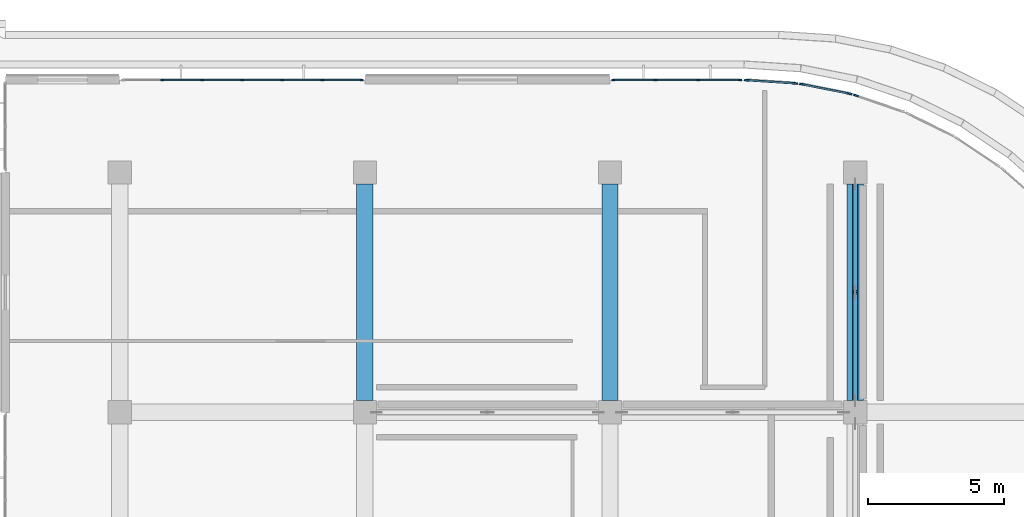
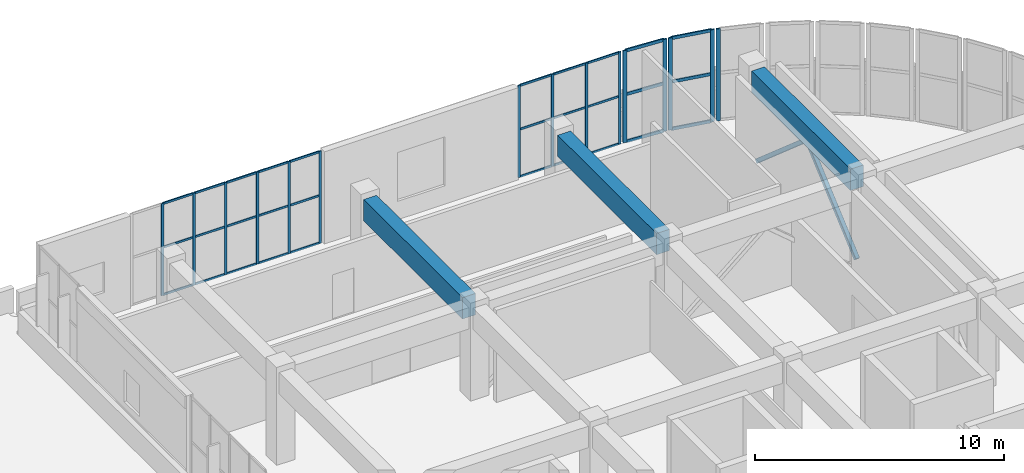
# One storey, part 24 of 67: 47 members, 3 beams, 5 elements without a shape of their own.
"""IFC4 building model written with IfcOpenShell, lengths in metres."""

from ifc_helpers import new_model, si_unit, direction, frame, origin, origin_2d, place, context, subcontext, project, spatial, rectangle, hollow_rectangle, extrude, material, layer, layer_set, material_profile, profile_set, type_object, element, aggregate, save


model = new_model("IFC4")

# Units and contexts
model_context = context("Model", 3, precision=1e-05, world=origin(), true_north=direction((0.0, 1.0)))
body_context = subcontext(model_context, "Body", "Model", "MODEL_VIEW")
ifc_project = project(units=[si_unit("LENGTHUNIT", "METRE"), si_unit("AREAUNIT", "SQUARE_METRE"), si_unit("VOLUMEUNIT", "CUBIC_METRE"), si_unit("PLANEANGLEUNIT", "RADIAN"), si_unit("MASSUNIT", "GRAM", prefix="KILO")], contexts=[model_context])

# Site, building, storey
site_placement = place(None, origin())
site = spatial("IfcSite", under=ifc_project, at=site_placement, CompositionType="ELEMENT")
building_placement = place(site_placement, origin())
building = spatial("IfcBuilding", under=site, at=building_placement, Name="Cendralis Terraced Arcade", CompositionType="ELEMENT")
storey_placement = place(building_placement, frame((0.0, 0.0, 15.0)))
storey = spatial("IfcBuildingStorey", under=building, at=storey_placement, Name="L03", CompositionType="ELEMENT", Elevation=15.0)

# Beams
ifc_material_1 = material(Name="Concrete f'c 35 MPa", Category="concrete")
ifc_material_profile_1 = material_profile(ifc_material_1, rectangle(XDim=0.60009765625, YDim=1.050048828125, at=origin_2d()), Name="RC-BM-600x1050", Category="LoadBearing")
ifc_profile_set_1 = profile_set([ifc_material_profile_1], Name="Concrete f'c 35 MPa")
beam_type = type_object("IfcBeamType", Name="BM-600x1050", PredefinedType="JOIST", material=ifc_profile_set_1)
for number, where, z_axis, x_axis, name in (
    (1, (139.199951171875, 98.824951171875, 3.9951171875), (0.0, 1.0, 0.0), (-1.0, 0.0, 0.0), "Reinforced Concrete Frame Beam BM-Y-L04-16-L_M"),
    (2, (148.199951171875, 98.824951171875, 3.9951171875), (0.0, 1.0, 0.0), (-1.0, 0.0, 0.0), "Reinforced Concrete Frame Beam BM-Y-L04-17-L_M"),
    (3, (157.199951171875, 98.824951171875, 3.9951171875), (0.0, 1.0, 0.0), (-1.0, 0.0, 0.0), "Reinforced Concrete Frame Beam BM-Y-L04-18-L_M"),
):
    element("IfcBeam", number, at=place(storey_placement, frame(where, z_axis=z_axis, x_axis=x_axis)), inside=storey, type_object=beam_type, Name=name, PredefinedType="JOIST", context=body_context, shape_type="SweptSolid", body=[
        extrude(rectangle(XDim=0.60009765625, YDim=1.050048828125, at=origin_2d()), origin(), (0.0, 0.0, 1.0), 7.949951171875),
    ])

# Curtain wall, members
ifc_material_2 = material(Name="Anodised aluminium EN AW-6063 T6", Category="aluminium")
ifc_layer_1 = layer(ifc_material_2, 0.1201171875, Name="CW-STORE-B")
ifc_layer_set_1 = layer_set([ifc_layer_1], Name="Anodised aluminium EN AW-6063 T6")
curtain_wall_type_1 = type_object("IfcCurtainWallType", Name="CW-STORE-B", PredefinedType="USERDEFINED", material=ifc_layer_set_1)
curtain_wall_1_placement = place(storey_placement, origin())
curtain_wall_1 = element("IfcCurtainWall", 4, at=curtain_wall_1_placement, inside=storey, type_object=curtain_wall_type_1, Name="Exterior Storefront Glazing CW-L03-0256", ObjectType="STOREFRONT GLAZING", PredefinedType="USERDEFINED")
ifc_material_profile_2 = material_profile(ifc_material_2, rectangle(XDim=0.054931640625, YDim=0.1201171875, at=origin_2d()), Name="ALU-MUL-55x120")
ifc_profile_set_2 = profile_set([ifc_material_profile_2], Name="Anodised aluminium EN AW-6063 T6")
member_type_1 = type_object("IfcMemberType", Name="CW-STORE-B-MUL", PredefinedType="MULLION", material=ifc_profile_set_2)
member_1_placement = place(storey_placement, frame((131.760009765625, 110.60009765625, 0.0), z_axis=(0.0, 0.0, 1.0), x_axis=(0.0, 1.0, 0.0)))
member_1 = element("IfcMember", 5, at=member_1_placement, type_object=member_type_1, Name="CW-S2 mullion 2", PredefinedType="MULLION", context=body_context, shape_type="SweptSolid", body=[
    extrude(rectangle(XDim=0.054931640625, YDim=0.1201171875, at=origin_2d()), origin(), (0.0, 0.0, 1.0), 4.52001953125),
])
member_2_placement = place(storey_placement, frame((133.22998046875, 110.60009765625, 0.0), z_axis=(0.0, 0.0, 1.0), x_axis=(0.0, 1.0, 0.0)))
member_2 = element("IfcMember", 6, at=member_2_placement, type_object=member_type_1, Name="CW-S2 mullion 3", PredefinedType="MULLION", context=body_context, shape_type="SweptSolid", body=[
    extrude(rectangle(XDim=0.054931640625, YDim=0.1201171875, at=origin_2d()), origin(), (0.0, 0.0, 1.0), 4.52001953125),
])
member_3_placement = place(storey_placement, frame((134.699951171875, 110.60009765625, 0.0), z_axis=(0.0, 0.0, 1.0), x_axis=(0.0, 1.0, 0.0)))
member_3 = element("IfcMember", 7, at=member_3_placement, type_object=member_type_1, Name="CW-S2 mullion 4", PredefinedType="MULLION", context=body_context, shape_type="SweptSolid", body=[
    extrude(rectangle(XDim=0.054931640625, YDim=0.1201171875, at=origin_2d()), origin(), (0.0, 0.0, 1.0), 4.52001953125),
])
member_4_placement = place(storey_placement, frame((136.169921875, 110.60009765625, 0.0), z_axis=(0.0, 0.0, 1.0), x_axis=(0.0, 1.0, 0.0)))
member_4 = element("IfcMember", 8, at=member_4_placement, type_object=member_type_1, Name="CW-S2 mullion 5", PredefinedType="MULLION", context=body_context, shape_type="SweptSolid", body=[
    extrude(rectangle(XDim=0.054931640625, YDim=0.1201171875, at=origin_2d()), origin(), (0.0, 0.0, 1.0), 4.52001953125),
])
member_5_placement = place(storey_placement, frame((137.639892578125, 110.60009765625, 0.0), z_axis=(0.0, 0.0, 1.0), x_axis=(0.0, 1.0, 0.0)))
member_5 = element("IfcMember", 9, at=member_5_placement, type_object=member_type_1, Name="CW-S2 mullion 6", PredefinedType="MULLION", context=body_context, shape_type="SweptSolid", body=[
    extrude(rectangle(XDim=0.054931640625, YDim=0.1201171875, at=origin_2d()), origin(), (0.0, 0.0, 1.0), 4.52001953125),
])
member_6_placement = place(storey_placement, frame((139.08251953125, 110.60009765625, 0.0), z_axis=(0.0, 0.0, 1.0), x_axis=(0.0, 1.0, 0.0)))
member_6 = element("IfcMember", 10, at=member_6_placement, type_object=member_type_1, Name="CW-S2 mullion 7", PredefinedType="MULLION", context=body_context, shape_type="SweptSolid", body=[
    extrude(rectangle(XDim=0.054931640625, YDim=0.1201171875, at=origin_2d()), origin(), (0.0, 0.0, 1.0), 4.52001953125),
])

curtain_wall_2_placement = place(storey_placement, origin())
curtain_wall_2 = element("IfcCurtainWall", 11, at=curtain_wall_2_placement, inside=storey, type_object=curtain_wall_type_1, Name="Exterior Storefront Glazing CW-L03-0257", ObjectType="STOREFRONT GLAZING", PredefinedType="USERDEFINED")
member_7_placement = place(storey_placement, frame((148.3173828125, 110.60009765625, 0.0), z_axis=(0.0, 0.0, 1.0), x_axis=(0.0, 1.0, 0.0)))
member_7 = element("IfcMember", 12, at=member_7_placement, type_object=member_type_1, Name="CW-S2 mullion 1", PredefinedType="MULLION", context=body_context, shape_type="SweptSolid", body=[
    extrude(rectangle(XDim=0.054931640625, YDim=0.1201171875, at=origin_2d()), origin(), (0.0, 0.0, 1.0), 4.52001953125),
])
member_8_placement = place(storey_placement, frame((149.86328125, 110.60009765625, 0.0), z_axis=(0.0, 0.0, 1.0), x_axis=(0.0, 1.0, 0.0)))
member_8 = element("IfcMember", 13, at=member_8_placement, type_object=member_type_1, Name="CW-S2 mullion 2", PredefinedType="MULLION", context=body_context, shape_type="SweptSolid", body=[
    extrude(rectangle(XDim=0.054931640625, YDim=0.1201171875, at=origin_2d()), origin(), (0.0, 0.0, 1.0), 4.52001953125),
])
member_9_placement = place(storey_placement, frame((151.436767578125, 110.60009765625, 0.0), z_axis=(0.0, 0.0, 1.0), x_axis=(0.0, 1.0, 0.0)))
member_9 = element("IfcMember", 14, at=member_9_placement, type_object=member_type_1, Name="CW-S2 mullion 3", PredefinedType="MULLION", context=body_context, shape_type="SweptSolid", body=[
    extrude(rectangle(XDim=0.054931640625, YDim=0.1201171875, at=origin_2d()), origin(), (0.0, 0.0, 1.0), 4.52001953125),
])
member_10_placement = place(storey_placement, frame((152.982421875, 110.60009765625, 0.0), z_axis=(0.0, 0.0, 1.0), x_axis=(0.0, 1.0, 0.0)))
member_10 = element("IfcMember", 15, at=member_10_placement, type_object=member_type_1, Name="CW-S2 mullion 4", PredefinedType="MULLION", context=body_context, shape_type="SweptSolid", body=[
    extrude(rectangle(XDim=0.054931640625, YDim=0.1201171875, at=origin_2d()), origin(), (0.0, 0.0, 1.0), 4.52001953125),
])

# Member
ifc_material_profile_3 = material_profile(ifc_material_2, rectangle(XDim=0.054931640625, YDim=0.10009765625, at=origin_2d()), Name="ALU-TRN-55x100")
ifc_profile_set_3 = profile_set([ifc_material_profile_3], Name="Anodised aluminium EN AW-6063 T6")
member_type_2 = type_object("IfcMemberType", Name="CW-STORE-B-TRN", PredefinedType="USERDEFINED", material=ifc_profile_set_3)
member_11_placement = place(storey_placement, frame((131.78759765625, 110.60009765625, 0.027587890625), z_axis=(1.0, 0.0, 0.0), x_axis=(0.0, 1.0, 0.0)))
member_11 = element("IfcMember", 16, at=member_11_placement, type_object=member_type_2, Name="CW-S2 transom 2.1", ObjectType="TRANSOM", PredefinedType="USERDEFINED", context=body_context, shape_type="SweptSolid", body=[
    extrude(rectangle(XDim=0.054931640625, YDim=0.10009765625, at=origin_2d()), origin(), (0.0, 0.0, 1.0), 1.414794921875),
])

member_12_placement = place(storey_placement, frame((131.78759765625, 110.60009765625, 2.350341796875), z_axis=(1.0, 0.0, 0.0), x_axis=(0.0, 1.0, 0.0)))
member_12 = element("IfcMember", 17, at=member_12_placement, type_object=member_type_2, Name="CW-S2 transom 2.2", ObjectType="TRANSOM", PredefinedType="USERDEFINED", context=body_context, shape_type="SweptSolid", body=[
    extrude(rectangle(XDim=0.054931640625, YDim=0.10009765625, at=origin_2d()), origin(), (0.0, 0.0, 1.0), 1.414794921875),
])

member_13_placement = place(storey_placement, frame((131.78759765625, 110.60009765625, 4.492431640625), z_axis=(1.0, 0.0, 0.0), x_axis=(0.0, 1.0, 0.0)))
member_13 = element("IfcMember", 18, at=member_13_placement, type_object=member_type_2, Name="CW-S2 transom 2.3", ObjectType="TRANSOM", PredefinedType="USERDEFINED", context=body_context, shape_type="SweptSolid", body=[
    extrude(rectangle(XDim=0.054931640625, YDim=0.10009765625, at=origin_2d()), origin(), (0.0, 0.0, 1.0), 1.414794921875),
])

member_14_placement = place(storey_placement, frame((133.257568359375, 110.60009765625, 0.027587890625), z_axis=(1.0, 0.0, 0.0), x_axis=(0.0, 1.0, 0.0)))
member_14 = element("IfcMember", 19, at=member_14_placement, type_object=member_type_2, Name="CW-S2 transom 3.1", ObjectType="TRANSOM", PredefinedType="USERDEFINED", context=body_context, shape_type="SweptSolid", body=[
    extrude(rectangle(XDim=0.054931640625, YDim=0.10009765625, at=origin_2d()), origin(), (0.0, 0.0, 1.0), 1.4150390625),
])

member_15_placement = place(storey_placement, frame((133.257568359375, 110.60009765625, 2.350341796875), z_axis=(1.0, 0.0, 0.0), x_axis=(0.0, 1.0, 0.0)))
member_15 = element("IfcMember", 20, at=member_15_placement, type_object=member_type_2, Name="CW-S2 transom 3.2", ObjectType="TRANSOM", PredefinedType="USERDEFINED", context=body_context, shape_type="SweptSolid", body=[
    extrude(rectangle(XDim=0.054931640625, YDim=0.10009765625, at=origin_2d()), origin(), (0.0, 0.0, 1.0), 1.4150390625),
])

member_16_placement = place(storey_placement, frame((133.257568359375, 110.60009765625, 4.492431640625), z_axis=(1.0, 0.0, 0.0), x_axis=(0.0, 1.0, 0.0)))
member_16 = element("IfcMember", 21, at=member_16_placement, type_object=member_type_2, Name="CW-S2 transom 3.3", ObjectType="TRANSOM", PredefinedType="USERDEFINED", context=body_context, shape_type="SweptSolid", body=[
    extrude(rectangle(XDim=0.054931640625, YDim=0.10009765625, at=origin_2d()), origin(), (0.0, 0.0, 1.0), 1.4150390625),
])

member_17_placement = place(storey_placement, frame((134.7275390625, 110.60009765625, 0.027587890625), z_axis=(1.0, 0.0, 0.0), x_axis=(0.0, 1.0, 0.0)))
member_17 = element("IfcMember", 22, at=member_17_placement, type_object=member_type_2, Name="CW-S2 transom 4.1", ObjectType="TRANSOM", PredefinedType="USERDEFINED", context=body_context, shape_type="SweptSolid", body=[
    extrude(rectangle(XDim=0.054931640625, YDim=0.10009765625, at=origin_2d()), origin(), (0.0, 0.0, 1.0), 1.4150390625),
])

member_18_placement = place(storey_placement, frame((134.7275390625, 110.60009765625, 2.350341796875), z_axis=(1.0, 0.0, 0.0), x_axis=(0.0, 1.0, 0.0)))
member_18 = element("IfcMember", 23, at=member_18_placement, type_object=member_type_2, Name="CW-S2 transom 4.2", ObjectType="TRANSOM", PredefinedType="USERDEFINED", context=body_context, shape_type="SweptSolid", body=[
    extrude(rectangle(XDim=0.054931640625, YDim=0.10009765625, at=origin_2d()), origin(), (0.0, 0.0, 1.0), 1.4150390625),
])

member_19_placement = place(storey_placement, frame((134.7275390625, 110.60009765625, 4.492431640625), z_axis=(1.0, 0.0, 0.0), x_axis=(0.0, 1.0, 0.0)))
member_19 = element("IfcMember", 24, at=member_19_placement, type_object=member_type_2, Name="CW-S2 transom 4.3", ObjectType="TRANSOM", PredefinedType="USERDEFINED", context=body_context, shape_type="SweptSolid", body=[
    extrude(rectangle(XDim=0.054931640625, YDim=0.10009765625, at=origin_2d()), origin(), (0.0, 0.0, 1.0), 1.4150390625),
])

member_20_placement = place(storey_placement, frame((136.197509765625, 110.60009765625, 0.027587890625), z_axis=(1.0, 0.0, 0.0), x_axis=(0.0, 1.0, 0.0)))
member_20 = element("IfcMember", 25, at=member_20_placement, type_object=member_type_2, Name="CW-S2 transom 5.1", ObjectType="TRANSOM", PredefinedType="USERDEFINED", context=body_context, shape_type="SweptSolid", body=[
    extrude(rectangle(XDim=0.054931640625, YDim=0.10009765625, at=origin_2d()), origin(), (0.0, 0.0, 1.0), 1.4150390625),
])

member_21_placement = place(storey_placement, frame((136.197509765625, 110.60009765625, 2.350341796875), z_axis=(1.0, 0.0, 0.0), x_axis=(0.0, 1.0, 0.0)))
member_21 = element("IfcMember", 26, at=member_21_placement, type_object=member_type_2, Name="CW-S2 transom 5.2", ObjectType="TRANSOM", PredefinedType="USERDEFINED", context=body_context, shape_type="SweptSolid", body=[
    extrude(rectangle(XDim=0.054931640625, YDim=0.10009765625, at=origin_2d()), origin(), (0.0, 0.0, 1.0), 1.4150390625),
])

member_22_placement = place(storey_placement, frame((136.197509765625, 110.60009765625, 4.492431640625), z_axis=(1.0, 0.0, 0.0), x_axis=(0.0, 1.0, 0.0)))
member_22 = element("IfcMember", 27, at=member_22_placement, type_object=member_type_2, Name="CW-S2 transom 5.3", ObjectType="TRANSOM", PredefinedType="USERDEFINED", context=body_context, shape_type="SweptSolid", body=[
    extrude(rectangle(XDim=0.054931640625, YDim=0.10009765625, at=origin_2d()), origin(), (0.0, 0.0, 1.0), 1.4150390625),
])

member_23_placement = place(storey_placement, frame((137.66748046875, 110.60009765625, 0.027587890625), z_axis=(1.0, 0.0, 0.0), x_axis=(0.0, 1.0, 0.0)))
member_23 = element("IfcMember", 28, at=member_23_placement, type_object=member_type_2, Name="CW-S2 transom 6.1", ObjectType="TRANSOM", PredefinedType="USERDEFINED", context=body_context, shape_type="SweptSolid", body=[
    extrude(rectangle(XDim=0.054931640625, YDim=0.10009765625, at=origin_2d()), origin(), (0.0, 0.0, 1.0), 1.387451171875),
])

member_24_placement = place(storey_placement, frame((137.66748046875, 110.60009765625, 2.350341796875), z_axis=(1.0, 0.0, 0.0), x_axis=(0.0, 1.0, 0.0)))
member_24 = element("IfcMember", 29, at=member_24_placement, type_object=member_type_2, Name="CW-S2 transom 6.2", ObjectType="TRANSOM", PredefinedType="USERDEFINED", context=body_context, shape_type="SweptSolid", body=[
    extrude(rectangle(XDim=0.054931640625, YDim=0.10009765625, at=origin_2d()), origin(), (0.0, 0.0, 1.0), 1.387451171875),
])

member_25_placement = place(storey_placement, frame((137.66748046875, 110.60009765625, 4.492431640625), z_axis=(1.0, 0.0, 0.0), x_axis=(0.0, 1.0, 0.0)))
member_25 = element("IfcMember", 30, at=member_25_placement, type_object=member_type_2, Name="CW-S2 transom 6.3", ObjectType="TRANSOM", PredefinedType="USERDEFINED", context=body_context, shape_type="SweptSolid", body=[
    extrude(rectangle(XDim=0.054931640625, YDim=0.10009765625, at=origin_2d()), origin(), (0.0, 0.0, 1.0), 1.387451171875),
])

aggregate(curtain_wall_1, [member_1, member_2, member_3, member_4, member_5, member_6, member_11, member_12, member_13, member_14, member_15, member_16, member_17, member_18, member_19, member_20, member_21, member_22, member_23, member_24, member_25])

member_26_placement = place(storey_placement, frame((148.344970703125, 110.60009765625, 0.027587890625), z_axis=(1.0, 0.0, 0.0), x_axis=(0.0, 1.0, 0.0)))
member_26 = element("IfcMember", 31, at=member_26_placement, type_object=member_type_2, Name="CW-S2 transom 1.1", ObjectType="TRANSOM", PredefinedType="USERDEFINED", context=body_context, shape_type="SweptSolid", body=[
    extrude(rectangle(XDim=0.054931640625, YDim=0.10009765625, at=origin_2d()), origin(), (0.0, 0.0, 1.0), 1.490966796875),
])

member_27_placement = place(storey_placement, frame((148.344970703125, 110.60009765625, 2.350341796875), z_axis=(1.0, 0.0, 0.0), x_axis=(0.0, 1.0, 0.0)))
member_27 = element("IfcMember", 32, at=member_27_placement, type_object=member_type_2, Name="CW-S2 transom 1.2", ObjectType="TRANSOM", PredefinedType="USERDEFINED", context=body_context, shape_type="SweptSolid", body=[
    extrude(rectangle(XDim=0.054931640625, YDim=0.10009765625, at=origin_2d()), origin(), (0.0, 0.0, 1.0), 1.490966796875),
])

member_28_placement = place(storey_placement, frame((148.344970703125, 110.60009765625, 4.492431640625), z_axis=(1.0, 0.0, 0.0), x_axis=(0.0, 1.0, 0.0)))
member_28 = element("IfcMember", 33, at=member_28_placement, type_object=member_type_2, Name="CW-S2 transom 1.3", ObjectType="TRANSOM", PredefinedType="USERDEFINED", context=body_context, shape_type="SweptSolid", body=[
    extrude(rectangle(XDim=0.054931640625, YDim=0.10009765625, at=origin_2d()), origin(), (0.0, 0.0, 1.0), 1.490966796875),
])

member_29_placement = place(storey_placement, frame((149.890869140625, 110.60009765625, 0.027587890625), z_axis=(1.0, 0.0, 0.0), x_axis=(0.0, 1.0, 0.0)))
member_29 = element("IfcMember", 34, at=member_29_placement, type_object=member_type_2, Name="CW-S2 transom 2.1", ObjectType="TRANSOM", PredefinedType="USERDEFINED", context=body_context, shape_type="SweptSolid", body=[
    extrude(rectangle(XDim=0.054931640625, YDim=0.10009765625, at=origin_2d()), origin(), (0.0, 0.0, 1.0), 1.518310546875),
])

member_30_placement = place(storey_placement, frame((149.890869140625, 110.60009765625, 2.350341796875), z_axis=(1.0, 0.0, 0.0), x_axis=(0.0, 1.0, 0.0)))
member_30 = element("IfcMember", 35, at=member_30_placement, type_object=member_type_2, Name="CW-S2 transom 2.2", ObjectType="TRANSOM", PredefinedType="USERDEFINED", context=body_context, shape_type="SweptSolid", body=[
    extrude(rectangle(XDim=0.054931640625, YDim=0.10009765625, at=origin_2d()), origin(), (0.0, 0.0, 1.0), 1.518310546875),
])

member_31_placement = place(storey_placement, frame((149.890869140625, 110.60009765625, 4.492431640625), z_axis=(1.0, 0.0, 0.0), x_axis=(0.0, 1.0, 0.0)))
member_31 = element("IfcMember", 36, at=member_31_placement, type_object=member_type_2, Name="CW-S2 transom 2.3", ObjectType="TRANSOM", PredefinedType="USERDEFINED", context=body_context, shape_type="SweptSolid", body=[
    extrude(rectangle(XDim=0.054931640625, YDim=0.10009765625, at=origin_2d()), origin(), (0.0, 0.0, 1.0), 1.518310546875),
])

member_32_placement = place(storey_placement, frame((151.464111328125, 110.60009765625, 0.027587890625), z_axis=(1.0, 0.0, 0.0), x_axis=(0.0, 1.0, 0.0)))
member_32 = element("IfcMember", 37, at=member_32_placement, type_object=member_type_2, Name="CW-S2 transom 3.1", ObjectType="TRANSOM", PredefinedType="USERDEFINED", context=body_context, shape_type="SweptSolid", body=[
    extrude(rectangle(XDim=0.054931640625, YDim=0.10009765625, at=origin_2d()), origin(), (0.0, 0.0, 1.0), 1.490966796875),
])

member_33_placement = place(storey_placement, frame((151.464111328125, 110.60009765625, 2.350341796875), z_axis=(1.0, 0.0, 0.0), x_axis=(0.0, 1.0, 0.0)))
member_33 = element("IfcMember", 38, at=member_33_placement, type_object=member_type_2, Name="CW-S2 transom 3.2", ObjectType="TRANSOM", PredefinedType="USERDEFINED", context=body_context, shape_type="SweptSolid", body=[
    extrude(rectangle(XDim=0.054931640625, YDim=0.10009765625, at=origin_2d()), origin(), (0.0, 0.0, 1.0), 1.490966796875),
])

member_34_placement = place(storey_placement, frame((151.464111328125, 110.60009765625, 4.492431640625), z_axis=(1.0, 0.0, 0.0), x_axis=(0.0, 1.0, 0.0)))
member_34 = element("IfcMember", 39, at=member_34_placement, type_object=member_type_2, Name="CW-S2 transom 3.3", ObjectType="TRANSOM", PredefinedType="USERDEFINED", context=body_context, shape_type="SweptSolid", body=[
    extrude(rectangle(XDim=0.054931640625, YDim=0.10009765625, at=origin_2d()), origin(), (0.0, 0.0, 1.0), 1.490966796875),
])

aggregate(curtain_wall_2, [member_7, member_8, member_9, member_10, member_26, member_27, member_28, member_29, member_30, member_31, member_32, member_33, member_34])

# Curtain wall, members
ifc_layer_2 = layer(ifc_material_2, 0.179931640625, Name="CW-UNIT-A")
ifc_layer_set_2 = layer_set([ifc_layer_2], Name="Anodised aluminium EN AW-6063 T6")
curtain_wall_type_2 = type_object("IfcCurtainWallType", Name="CW-UNIT-A", PredefinedType="USERDEFINED", material=ifc_layer_set_2)
curtain_wall_3_placement = place(storey_placement, origin())
curtain_wall_3 = element("IfcCurtainWall", 40, at=curtain_wall_3_placement, inside=storey, type_object=curtain_wall_type_2, Name="Exterior Unitised Facade CW-L03-0227", ObjectType="UNITISED FACADE", PredefinedType="USERDEFINED")
ifc_material_profile_4 = material_profile(ifc_material_2, rectangle(XDim=0.06494140625, YDim=0.179931640625, at=origin_2d()), Name="ALU-MUL-65x180")
ifc_profile_set_4 = profile_set([ifc_material_profile_4], Name="Anodised aluminium EN AW-6063 T6")
member_type_3 = type_object("IfcMemberType", Name="CW-UNIT-A-MUL", PredefinedType="MULLION", material=ifc_profile_set_4)
member_35_placement = place(storey_placement, frame((153.22216796875, 110.592041015625, 0.0), z_axis=(0.0, 0.0, 1.0), x_axis=(0.065383766124, 0.997860192175, 0.0)))
member_35 = element("IfcMember", 41, at=member_35_placement, type_object=member_type_3, Name="CW-U1 mullion 1", PredefinedType="MULLION", context=body_context, shape_type="SweptSolid", body=[
    extrude(rectangle(XDim=0.06494140625, YDim=0.179931640625, at=origin_2d()), origin(), (0.0, 0.0, 1.0), 4.52001953125),
])
member_36_placement = place(storey_placement, frame((155.0009765625, 110.475341796875, 0.0), z_axis=(0.0, 0.0, 1.0), x_axis=(0.065383766124, 0.997860192175, 0.0)))
member_36 = element("IfcMember", 42, at=member_36_placement, type_object=member_type_3, Name="CW-U1 mullion 2", PredefinedType="MULLION", context=body_context, shape_type="SweptSolid", body=[
    extrude(rectangle(XDim=0.06494140625, YDim=0.179931640625, at=origin_2d()), origin(), (0.0, 0.0, 1.0), 4.52001953125),
])

curtain_wall_4_placement = place(storey_placement, origin())
curtain_wall_4 = element("IfcCurtainWall", 43, at=curtain_wall_4_placement, inside=storey, type_object=curtain_wall_type_2, Name="Exterior Unitised Facade CW-L03-0228", ObjectType="UNITISED FACADE", PredefinedType="USERDEFINED")
member_37_placement = place(storey_placement, frame((155.243408203125, 110.443359375, 0.0), z_axis=(0.0, 0.0, 1.0), x_axis=(0.195033398913, 0.980796601395, 0.0)))
member_37 = element("IfcMember", 44, at=member_37_placement, type_object=member_type_3, Name="CW-U1 mullion 1", PredefinedType="MULLION", context=body_context, shape_type="SweptSolid", body=[
    extrude(rectangle(XDim=0.06494140625, YDim=0.179931640625, at=origin_2d()), origin(), (0.0, 0.0, 1.0), 4.52001953125),
])
member_38_placement = place(storey_placement, frame((156.991455078125, 110.095947265625, 0.0), z_axis=(0.0, 0.0, 1.0), x_axis=(0.195033398913, 0.980796601395, 0.0)))
member_38 = element("IfcMember", 45, at=member_38_placement, type_object=member_type_3, Name="CW-U1 mullion 2", PredefinedType="MULLION", context=body_context, shape_type="SweptSolid", body=[
    extrude(rectangle(XDim=0.06494140625, YDim=0.179931640625, at=origin_2d()), origin(), (0.0, 0.0, 1.0), 4.52001953125),
])

# Curtain wall, member
curtain_wall_5_placement = place(storey_placement, origin())
curtain_wall_5 = element("IfcCurtainWall", 46, at=curtain_wall_5_placement, inside=storey, type_object=curtain_wall_type_2, Name="Exterior Unitised Facade CW-L03-0229", ObjectType="UNITISED FACADE", PredefinedType="USERDEFINED")
member_39_placement = place(storey_placement, frame((157.227783203125, 110.032470703125, 0.0), z_axis=(0.0, 0.0, 1.0), x_axis=(0.32150002033, 0.946909571674, 0.0)))
member_39 = element("IfcMember", 47, at=member_39_placement, type_object=member_type_3, Name="CW-U1 mullion 1", PredefinedType="MULLION", context=body_context, shape_type="SweptSolid", body=[
    extrude(rectangle(XDim=0.06494140625, YDim=0.179931640625, at=origin_2d()), origin(), (0.0, 0.0, 1.0), 4.52001953125),
])
aggregate(curtain_wall_5, [member_39])

# Member
ifc_material_profile_5 = material_profile(ifc_material_2, rectangle(XDim=0.06494140625, YDim=0.14990234375, at=origin_2d()), Name="ALU-TRN-65x150")
ifc_profile_set_5 = profile_set([ifc_material_profile_5], Name="Anodised aluminium EN AW-6063 T6")
member_type_4 = type_object("IfcMemberType", Name="CW-UNIT-A-TRN", PredefinedType="USERDEFINED", material=ifc_profile_set_5)
member_40_placement = place(storey_placement, frame((153.254638671875, 110.58984375, 0.032470703125), z_axis=(0.997859990953, -0.065386837014, 0.0), x_axis=(0.065386837014, 0.997859990953, 0.0)))
member_40 = element("IfcMember", 48, at=member_40_placement, type_object=member_type_4, Name="CW-U1 transom 1.1", ObjectType="TRANSOM", PredefinedType="USERDEFINED", context=body_context, shape_type="SweptSolid", body=[
    extrude(rectangle(XDim=0.06494140625, YDim=0.14990234375, at=origin_2d()), origin(), (0.0, 0.0, 1.0), 1.717529296875),
])

member_41_placement = place(storey_placement, frame((153.254638671875, 110.58984375, 2.350341796875), z_axis=(0.997859990953, -0.065386837014, 0.0), x_axis=(0.065386837014, 0.997859990953, 0.0)))
member_41 = element("IfcMember", 49, at=member_41_placement, type_object=member_type_4, Name="CW-U1 transom 1.2", ObjectType="TRANSOM", PredefinedType="USERDEFINED", context=body_context, shape_type="SweptSolid", body=[
    extrude(rectangle(XDim=0.06494140625, YDim=0.14990234375, at=origin_2d()), origin(), (0.0, 0.0, 1.0), 1.717529296875),
])

member_42_placement = place(storey_placement, frame((153.254638671875, 110.58984375, 4.487548828125), z_axis=(0.997859990953, -0.065386837014, 0.0), x_axis=(0.065386837014, 0.997859990953, 0.0)))
member_42 = element("IfcMember", 50, at=member_42_placement, type_object=member_type_4, Name="CW-U1 transom 1.3", ObjectType="TRANSOM", PredefinedType="USERDEFINED", context=body_context, shape_type="SweptSolid", body=[
    extrude(rectangle(XDim=0.06494140625, YDim=0.14990234375, at=origin_2d()), origin(), (0.0, 0.0, 1.0), 1.717529296875),
])

aggregate(curtain_wall_3, [member_35, member_36, member_40, member_41, member_42])

member_43_placement = place(storey_placement, frame((155.275146484375, 110.43701171875, 0.032470703125), z_axis=(0.980825930665, -0.194885847962, 0.0), x_axis=(0.194885847962, 0.980825930665, 0.0)))
member_43 = element("IfcMember", 51, at=member_43_placement, type_object=member_type_4, Name="CW-U1 transom 1.1", ObjectType="TRANSOM", PredefinedType="USERDEFINED", context=body_context, shape_type="SweptSolid", body=[
    extrude(rectangle(XDim=0.06494140625, YDim=0.14990234375, at=origin_2d()), origin(), (0.0, 0.0, 1.0), 1.717529296875),
])

member_44_placement = place(storey_placement, frame((155.275146484375, 110.43701171875, 2.350341796875), z_axis=(0.980825930665, -0.194885847962, 0.0), x_axis=(0.194885847962, 0.980825930665, 0.0)))
member_44 = element("IfcMember", 52, at=member_44_placement, type_object=member_type_4, Name="CW-U1 transom 1.2", ObjectType="TRANSOM", PredefinedType="USERDEFINED", context=body_context, shape_type="SweptSolid", body=[
    extrude(rectangle(XDim=0.06494140625, YDim=0.14990234375, at=origin_2d()), origin(), (0.0, 0.0, 1.0), 1.717529296875),
])

member_45_placement = place(storey_placement, frame((155.275146484375, 110.43701171875, 4.487548828125), z_axis=(0.980825930665, -0.194885847962, 0.0), x_axis=(0.194885847962, 0.980825930665, 0.0)))
member_45 = element("IfcMember", 53, at=member_45_placement, type_object=member_type_4, Name="CW-U1 transom 1.3", ObjectType="TRANSOM", PredefinedType="USERDEFINED", context=body_context, shape_type="SweptSolid", body=[
    extrude(rectangle(XDim=0.06494140625, YDim=0.14990234375, at=origin_2d()), origin(), (0.0, 0.0, 1.0), 1.717529296875),
])

aggregate(curtain_wall_4, [member_37, member_38, member_43, member_44, member_45])

# Members
ifc_material_3 = material(Name="Steel ASTM A572 Grade 50", Category="steel")
ifc_material_profile_6 = material_profile(ifc_material_3, hollow_rectangle(XDim=0.199951171875, YDim=0.199951171875, WallThickness=0.010009765625, InnerFilletRadius=0.010009765625, OuterFilletRadius=0.02001953125, at=origin_2d()), Name="HSS200X200X10", Category="LoadBearing")
ifc_profile_set_6 = profile_set([ifc_material_profile_6], Name="Steel ASTM A572 Grade 50")
member_type_5 = type_object("IfcMemberType", Name="MEM-BRC-HSS200", PredefinedType="BRACE", material=ifc_profile_set_6)
member_46_placement = place(storey_placement, frame((157.199951171875, 98.824951171875, 0.02001953125), z_axis=(0.0, 0.755231293556, 0.655458384059), x_axis=(-1.0, 0.0, 0.0)))
element("IfcMember", 54, at=member_46_placement, inside=storey, type_object=member_type_5, Name="Chevron Steel Lateral Frame Brace BRC-L03-031", PredefinedType="BRACE", context=body_context, shape_type="SweptSolid", body=[
    extrude(hollow_rectangle(XDim=0.199951171875, YDim=0.199951171875, WallThickness=0.010009765625, InnerFilletRadius=0.010009765625, OuterFilletRadius=0.02001953125, at=origin_2d()), origin(), (0.0, 0.0, 1.0), 5.263427734375),
])
member_47_placement = place(storey_placement, frame((157.199951171875, 106.77490234375, 0.02001953125), z_axis=(0.0, -0.755211364566, 0.655481345905), x_axis=(1.0, 0.0, 0.0)))
element("IfcMember", 55, at=member_47_placement, inside=storey, type_object=member_type_5, Name="Chevron Steel Lateral Frame Brace BRC-L03-032", PredefinedType="BRACE", context=body_context, shape_type="SweptSolid", body=[
    extrude(hollow_rectangle(XDim=0.199951171875, YDim=0.199951171875, WallThickness=0.010009765625, InnerFilletRadius=0.010009765625, OuterFilletRadius=0.02001953125, at=origin_2d()), origin(), (0.0, 0.0, 1.0), 5.26318359375),
])

save(model, "model.ifc")
